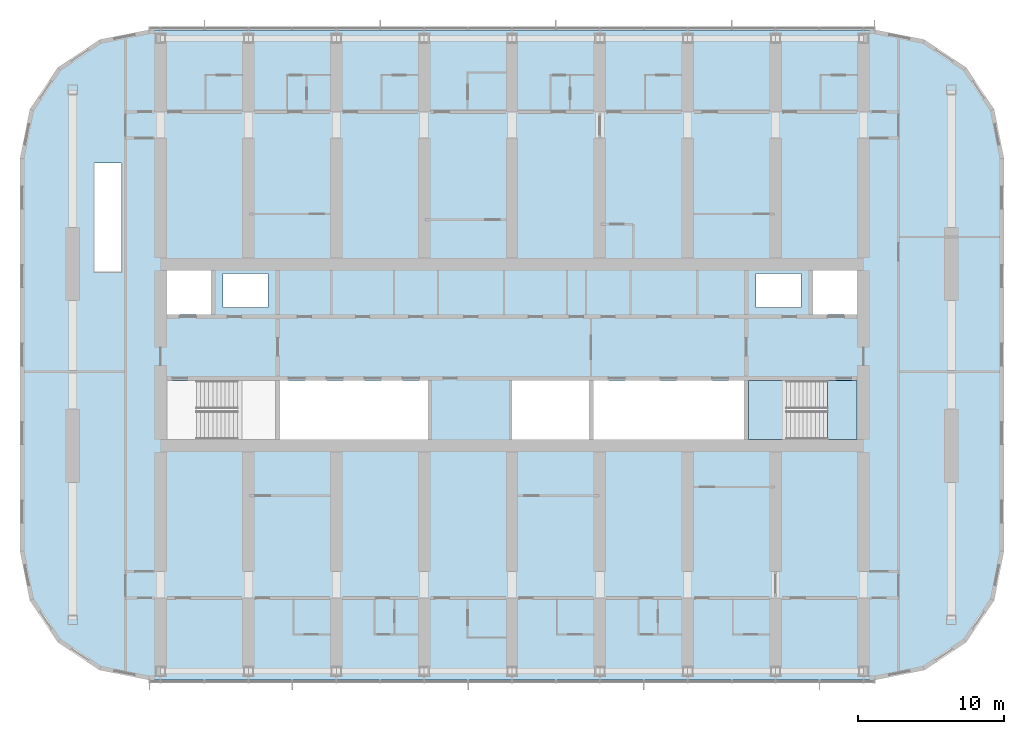
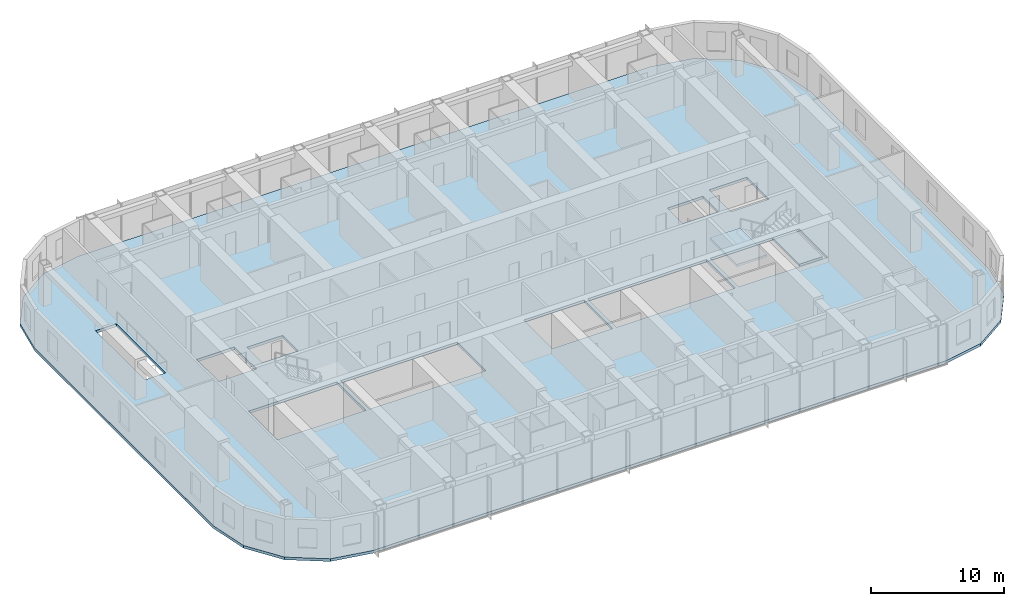
# One storey, part 8 of 22: 3 slabs, 1 element without a shape of its own.
"""IFC4 building model written with IfcOpenShell, lengths in metres."""

from ifc_helpers import new_model, si_unit, direction, frame, origin, place, context, subcontext, project, spatial, polyline, outline, extrude, material, layer, layer_set, type_object, element, aggregate, save


model = new_model("IFC4")

# Units and contexts
model_context = context("Model", 3, precision=1e-05, world=origin(), true_north=direction((0.0, 1.0)))
body_context = subcontext(model_context, "Body", "Model", "MODEL_VIEW")
ifc_project = project(units=[si_unit("LENGTHUNIT", "METRE"), si_unit("AREAUNIT", "SQUARE_METRE"), si_unit("VOLUMEUNIT", "CUBIC_METRE"), si_unit("PLANEANGLEUNIT", "RADIAN"), si_unit("MASSUNIT", "GRAM", prefix="KILO")], contexts=[model_context])

# Site, building, storey
site_placement = place(None, origin())
site = spatial("IfcSite", under=ifc_project, at=site_placement, CompositionType="ELEMENT")
building_placement = place(site_placement, origin())
building = spatial("IfcBuilding", under=site, at=building_placement, Name="Orbita Commons", CompositionType="ELEMENT")
storey_placement = place(building_placement, frame((0.0, 0.0, 152.35009765625)))
storey = spatial("IfcBuildingStorey", under=building, at=storey_placement, Name="L37", CompositionType="ELEMENT", Elevation=152.35009765625)

# Slab
ifc_material_1 = material(Name="Concrete C40/50", Category="concrete")
ifc_layer_1 = layer(ifc_material_1, 0.25)
ifc_layer_set_1 = layer_set([ifc_layer_1], Name="Concrete C40/50")
slab_type_1 = type_object("IfcSlabType", Name="Floor slab 250", PredefinedType="FLOOR", material=ifc_layer_set_1)
slab_1_placement = place(storey_placement, frame((0.0, 0.0, -0.25)))
element("IfcSlab", 1, at=slab_1_placement, inside=storey, type_object=slab_type_1, Name="Floor slab L37", PredefinedType="FLOOR", context=body_context, shape_type="SweptSolid", body=[
    extrude(outline(polyline([(66.800048828125, 9.800048828125), (70.167724609375, 10.469970703125), (73.0224609375, 12.37744140625), (74.93017578125, 15.232421875), (75.60009765625, 18.60009765625), (75.60009765625, 45.39990234375), (74.93017578125, 48.767578125), (73.0224609375, 51.62255859375), (70.167724609375, 53.530029296875), (66.800048828125, 54.199951171875), (17.199951171875, 54.199951171875), (13.832275390625, 53.530029296875), (10.9775390625, 51.62255859375), (9.06982421875, 48.767578125), (8.39990234375, 45.39990234375), (8.39990234375, 18.60009765625), (9.06982421875, 15.232421875), (10.9775390625, 12.37744140625), (13.832275390625, 10.469970703125), (17.199951171875, 9.800048828125), (66.800048828125, 9.800048828125)]), holes=[polyline([(18.14990234375, 25.949951171875), (25.85009765625, 25.949951171875), (25.85009765625, 30.25), (18.14990234375, 30.25), (18.14990234375, 25.949951171875)]), polyline([(58.14990234375, 25.949951171875), (65.85009765625, 25.949951171875), (65.85009765625, 30.25), (58.14990234375, 30.25), (58.14990234375, 25.949951171875)]), polyline([(18.14990234375, 34.75), (21.449951171875, 34.75), (21.449951171875, 38.050048828125), (18.14990234375, 38.050048828125), (18.14990234375, 34.75)]), polyline([(62.550048828125, 34.75), (65.85009765625, 34.75), (65.85009765625, 38.050048828125), (62.550048828125, 38.050048828125), (62.550048828125, 34.75)]), polyline([(22.25, 35.25), (25.35009765625, 35.25), (25.35009765625, 37.550048828125), (22.25, 37.550048828125), (22.25, 35.25)]), polyline([(58.64990234375, 35.25), (61.75, 35.25), (61.75, 37.550048828125), (58.64990234375, 37.550048828125), (58.64990234375, 35.25)]), polyline([(26.14990234375, 25.949951171875), (36.25, 25.949951171875), (36.25, 30.25), (26.14990234375, 30.25), (26.14990234375, 25.949951171875)]), polyline([(42.0, 25.949951171875), (47.25, 25.949951171875), (47.25, 30.25), (42.0, 30.25), (42.0, 25.949951171875)]), polyline([(47.550048828125, 25.949951171875), (57.85009765625, 25.949951171875), (57.85009765625, 30.25), (47.550048828125, 30.25), (47.550048828125, 25.949951171875)]), polyline([(13.5, 37.699951171875), (15.300048828125, 37.699951171875), (15.300048828125, 45.10009765625), (13.5, 45.10009765625), (13.5, 37.699951171875)])]), origin(), (0.0, 0.0, 1.0), 0.25),
])

# Stair, slabs
ifc_material_2 = material(Name="Precast concrete C40/50", Category="concrete")
stair_type = type_object("IfcStairType", Name="Exit stair S2 2 flights 11 risers 170", PredefinedType="HALF_TURN_STAIR", material=ifc_material_2)
stair_placement = place(storey_placement, origin())
stair = element("IfcStair", 2, at=stair_placement, inside=storey, type_object=stair_type, Name="Exit stair S2 L37", PredefinedType="HALF_TURN_STAIR")
ifc_material_3 = material(Name="Concrete C40/50", Category="concrete")
ifc_layer_2 = layer(ifc_material_3, 0.199951171875)
ifc_layer_set_2 = layer_set([ifc_layer_2], Name="Concrete C40/50")
slab_type_2 = type_object("IfcSlabType", Name="Stair landing 200", PredefinedType="LANDING", material=ifc_layer_set_2)
slab_2_placement = place(storey_placement, frame((0.0, 0.0, -0.2001953125)))
slab_2 = element("IfcSlab", 3, at=slab_2_placement, type_object=slab_type_2, Name="S2 landing 1", PredefinedType="LANDING", context=body_context, shape_type="SweptSolid", body=[
    extrude(outline(polyline([(63.550048828125, 26.22509765625), (65.574951171875, 26.22509765625), (65.574951171875, 30.25), (63.550048828125, 30.25), (63.550048828125, 26.22509765625)])), origin(), (0.0, 0.0, 1.0), 0.2001953125),
])
slab_3_placement = place(storey_placement, frame((0.0, 0.0, 1.6748046875)))
slab_3 = element("IfcSlab", 4, at=slab_3_placement, type_object=slab_type_2, Name="S2 landing 2", PredefinedType="LANDING", context=body_context, shape_type="SweptSolid", body=[
    extrude(outline(polyline([(58.135009765625, 26.2099609375), (60.75, 26.2099609375), (60.75, 30.264892578125), (58.135009765625, 30.264892578125), (58.135009765625, 26.2099609375)])), origin(), (0.0, 0.0, 1.0), 0.2001953125),
])
aggregate(stair, [slab_2, slab_3])

save(model, "model.ifc")
